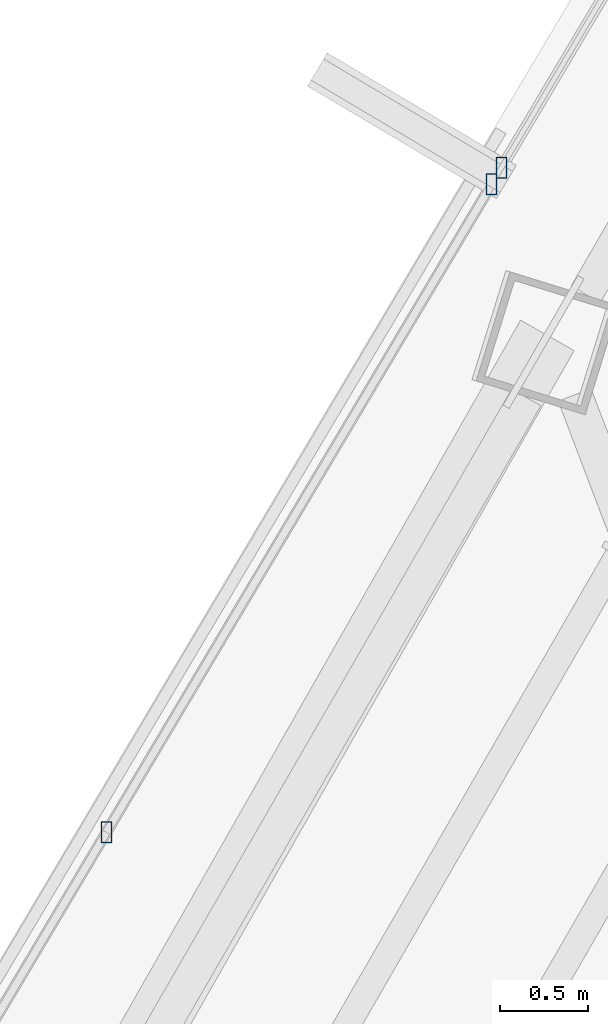
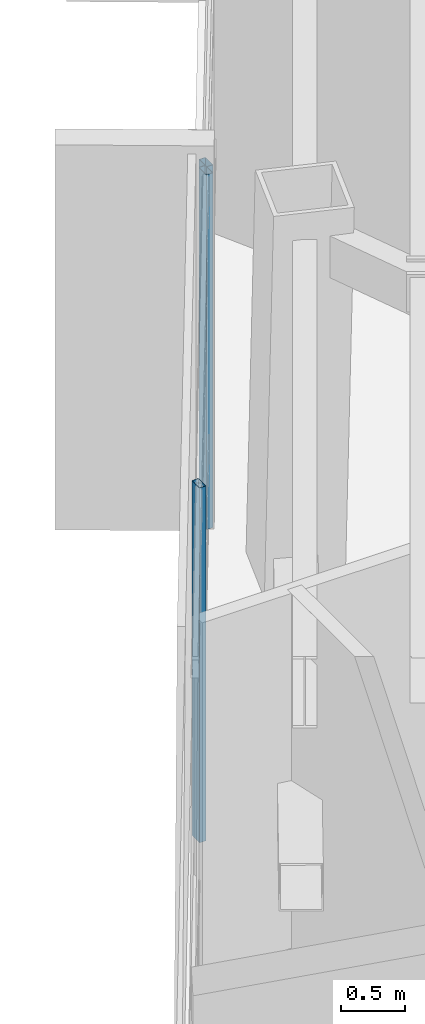
# One storey, part 17 of 45: 3 members, 2 elements without a shape of their own.
"""IFC4 building model written with IfcOpenShell, lengths in metres."""

from ifc_helpers import new_model, si_unit, direction, frame, origin, origin_2d, place, context, subcontext, project, spatial, hollow_rectangle, extrude, source, transform, mapped, material, material_profile, profile_set, type_object, type_shapes, element, aggregate, save


model = new_model("IFC4")

# Units and contexts
model_context = context("Model", 3, precision=1e-05, world=origin(), true_north=direction((0.0, 1.0)))
body_context = subcontext(model_context, "Body", "Model", "MODEL_VIEW")
ifc_project = project(units=[si_unit("LENGTHUNIT", "METRE"), si_unit("AREAUNIT", "SQUARE_METRE"), si_unit("VOLUMEUNIT", "CUBIC_METRE"), si_unit("PLANEANGLEUNIT", "RADIAN"), si_unit("MASSUNIT", "GRAM", prefix="KILO")], contexts=[model_context])

# Site, building, storey
site_placement = place(None, origin())
site = spatial("IfcSite", under=ifc_project, at=site_placement, CompositionType="ELEMENT")
building_placement = place(site_placement, origin())
building = spatial("IfcBuilding", under=site, at=building_placement, Name="Caelisora Broadcast Tower", CompositionType="ELEMENT")
storey_placement = place(building_placement, frame((0.0, 0.0, 240.800048828125)))
storey = spatial("IfcBuildingStorey", under=building, at=storey_placement, Name="L63", CompositionType="ELEMENT", Elevation=240.800048828125)

# Curtain wall, members
ifc_material_1 = material(Name="Unitised Aluminium Insulated Shadow-Box Spandrel Curtain Wall", Category="aluminium")
curtain_wall_type_1 = type_object("IfcCurtainWallType", Name="CW-SP3", PredefinedType="NOTDEFINED", material=ifc_material_1)
curtain_wall_1_placement = place(storey_placement, origin())
curtain_wall_1 = element("IfcCurtainWall", 1, at=curtain_wall_1_placement, inside=storey, type_object=curtain_wall_type_1, Name="L63 curtain wall CW-SP3", PredefinedType="NOTDEFINED")
ifc_material_2 = material(Name="Aluminium 6063-T6 Anodised Terracotta Bronze", Category="aluminium")
ifc_material_profile = material_profile(ifc_material_2, hollow_rectangle(XDim=0.06005859375, YDim=0.1201171875, WallThickness=0.0029296875, at=origin_2d()), Name="Aluminium 6063-T6 Anodised Terracotta Bronze")
ifc_profile_set = profile_set([ifc_material_profile], Name="Aluminium 6063-T6 Anodised Terracotta Bronze")
member_type = type_object("IfcMemberType", Name="CWM-04", PredefinedType="MULLION", material=ifc_profile_set)
shared_shape = source(origin(), body_context, "Body", "SweptSolid", [
    extrude(hollow_rectangle(XDim=0.06005859375, YDim=0.1201171875, WallThickness=0.0029296875, at=origin_2d()), origin(), (0.0, 0.0, 1.0), 3.39990234375),
])
type_shapes(member_type, [shared_shape])
member_1_placement = place(storey_placement, frame((25.46142578125, 33.75390625, 0.0), z_axis=(0.0, 0.0, 1.0), x_axis=(1.0, 0.0, 0.0)))
member_1 = element("IfcMember", 2, at=member_1_placement, type_object=member_type, Name="L63-CW-B10 mullion #2", PredefinedType="MULLION", context=body_context, shape_type="MappedRepresentation", body=[
    mapped(shared_shape, transform((0.0, 0.0, 0.0), scale=1.0)),
])
member_2_placement = place(storey_placement, frame((27.651611328125, 37.438232421875, 0.0), z_axis=(0.0, 0.0, 1.0), x_axis=(1.0, 0.0, 0.0)))
member_2 = element("IfcMember", 3, at=member_2_placement, type_object=member_type, Name="L63-CW-B10 mullion #3", PredefinedType="MULLION", context=body_context, shape_type="MappedRepresentation", body=[
    mapped(shared_shape, transform((0.0, 0.0, 0.0), scale=1.0)),
])
aggregate(curtain_wall_1, [member_1, member_2])

# Curtain wall, member
ifc_material_3 = material(Name="Unitised Aluminium and Low-E Glass Curtain Wall", Category="glass")
curtain_wall_type_2 = type_object("IfcCurtainWallType", Name="CW-Z5", PredefinedType="NOTDEFINED", material=ifc_material_3)
curtain_wall_2_placement = place(storey_placement, origin())
curtain_wall_2 = element("IfcCurtainWall", 4, at=curtain_wall_2_placement, inside=storey, type_object=curtain_wall_type_2, Name="L63 curtain wall CW-Z5", PredefinedType="NOTDEFINED")
member_3_placement = place(storey_placement, frame((27.707763671875, 37.53271484375, 0.0), z_axis=(0.0, 0.0, 1.0), x_axis=(1.0, 0.0, 0.0)))
member_3 = element("IfcMember", 5, at=member_3_placement, type_object=member_type, Name="L63-CW-B11 mullion #0", PredefinedType="MULLION", context=body_context, shape_type="MappedRepresentation", body=[
    mapped(shared_shape, transform((0.0, 0.0, 0.0), scale=1.0)),
])
aggregate(curtain_wall_2, [member_3])

save(model, "model.ifc")
